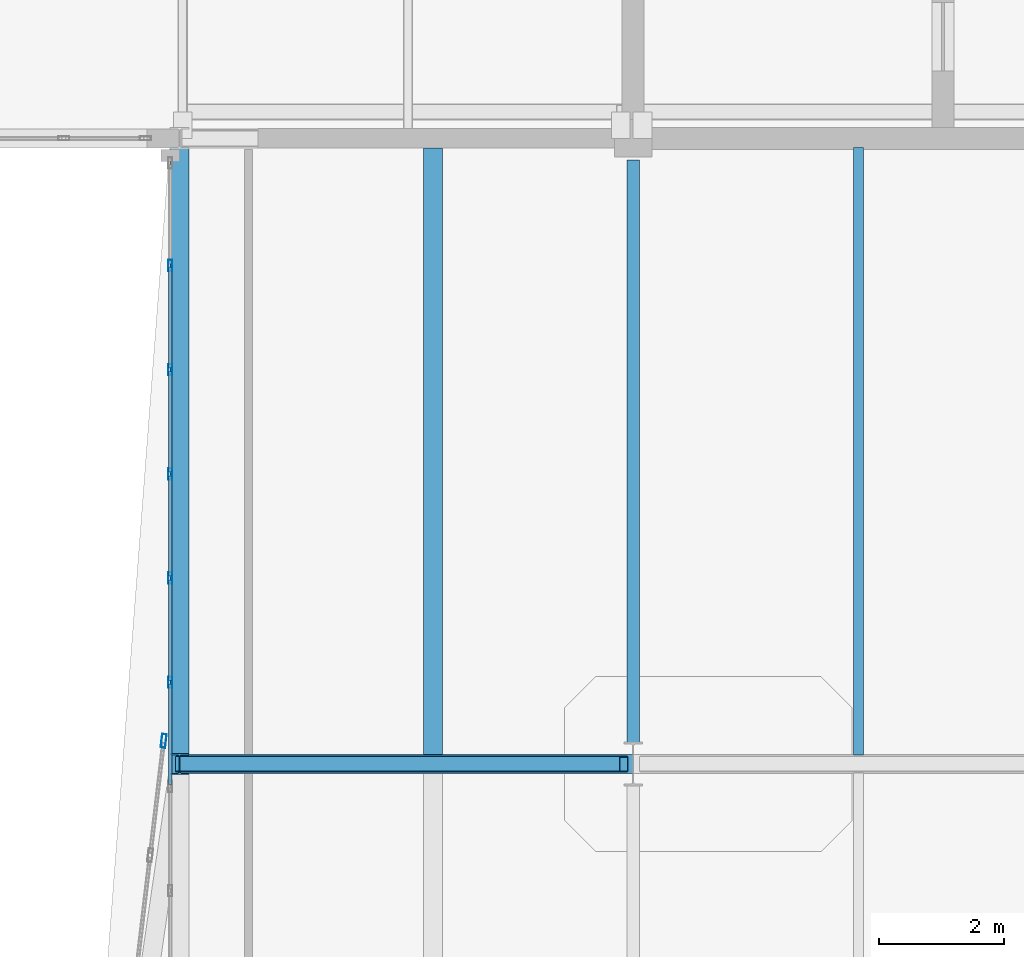
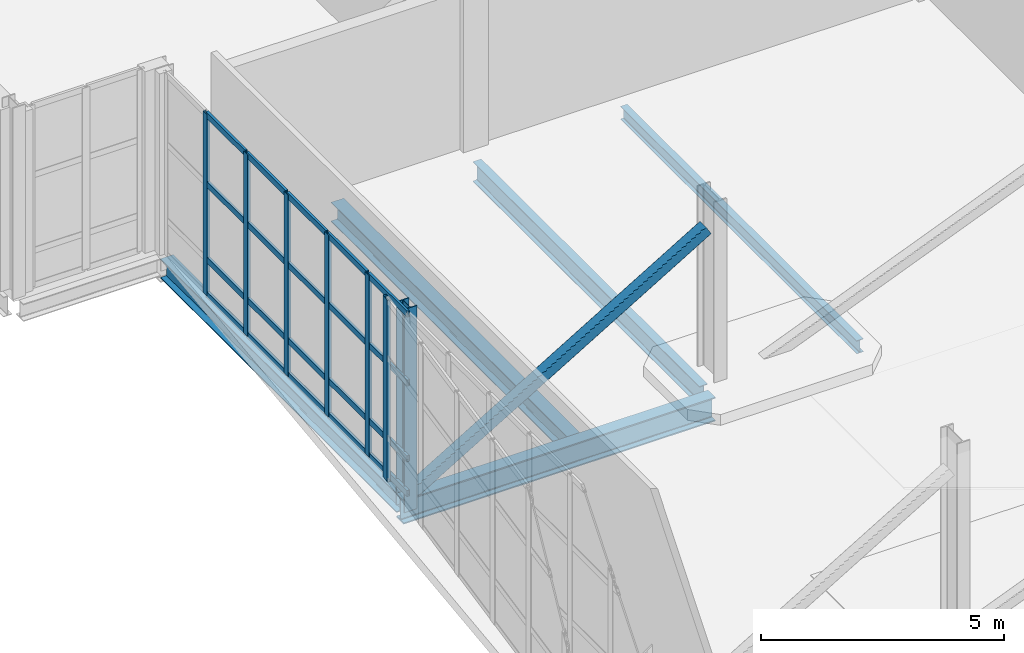
# One storey, part 39 of 100: 28 members, 5 beams, 2 elements without a shape of their own.
"""IFC4 building model written with IfcOpenShell, lengths in metres."""

from ifc_helpers import new_model, si_unit, direction, frame, origin, origin_2d, place, context, subcontext, project, spatial, hollow_rectangle, i_section, extrude, material, layer, layer_set, material_profile, profile_set, type_object, element, aggregate, save


model = new_model("IFC4")

# Units and contexts
model_context = context("Model", 3, precision=1e-05, world=origin(), true_north=direction((0.0, 1.0)))
body_context = subcontext(model_context, "Body", "Model", "MODEL_VIEW")
ifc_project = project(units=[si_unit("LENGTHUNIT", "METRE"), si_unit("AREAUNIT", "SQUARE_METRE"), si_unit("VOLUMEUNIT", "CUBIC_METRE"), si_unit("PLANEANGLEUNIT", "RADIAN"), si_unit("MASSUNIT", "GRAM", prefix="KILO")], contexts=[model_context])

# Site, building, storey
site_placement = place(None, origin())
site = spatial("IfcSite", under=ifc_project, at=site_placement, CompositionType="ELEMENT")
building_placement = place(site_placement, origin())
building = spatial("IfcBuilding", under=site, at=building_placement, Name="Tasgan Crest Museum", CompositionType="ELEMENT")
storey_placement = place(building_placement, frame((0.0, 0.0, 9.60009765625)))
storey = spatial("IfcBuildingStorey", under=building, at=storey_placement, Name="L02", CompositionType="ELEMENT", Elevation=9.60009765625)

# Beams
ifc_material_1 = material(Name="Steel S355K2", Category="steel")
ifc_material_profile_1 = material_profile(ifc_material_1, i_section(OverallWidth=0.300048828125, OverallDepth=0.60009765625, WebThickness=0.015380859375, FlangeThickness=0.030029296875, FilletRadius=0.027099609375, at=origin_2d()), Name="HEB 600")
ifc_profile_set_1 = profile_set([ifc_material_profile_1], Name="Steel S355K2")
beam_type_1 = type_object("IfcBeamType", Name="BM-CANT-G1", PredefinedType="BEAM", material=ifc_profile_set_1)
beam_1_placement = place(storey_placement, frame((3.39990234375, 72.0, -0.56005859375), z_axis=(1.0, 0.0, 0.0), x_axis=(0.0, 1.0, 0.0)))
element("IfcBeam", 1, at=beam_1_placement, inside=storey, type_object=beam_type_1, Name="Cantilever transfer girder BOT H", PredefinedType="BEAM", context=body_context, shape_type="SweptSolid", body=[
    extrude(i_section(OverallWidth=0.300048828125, OverallDepth=0.60009765625, WebThickness=0.015380859375, FlangeThickness=0.030029296875, FilletRadius=0.027099609375, at=origin_2d()), origin(), (0.0, 0.0, 1.0), 7.3935546875),
])
ifc_material_2 = material(Name="Steel S355J2", Category="steel")
ifc_material_profile_2 = material_profile(ifc_material_2, i_section(OverallWidth=0.300048828125, OverallDepth=0.489990234375, WebThickness=0.011962890625, FlangeThickness=0.02294921875, FilletRadius=0.027099609375, at=origin_2d()), Name="HEA 500")
ifc_profile_set_2 = profile_set([ifc_material_profile_2], Name="Steel S355J2")
beam_type_2 = type_object("IfcBeamType", Name="BM-G-HEA500", PredefinedType="BEAM", material=ifc_profile_set_2)
for number, where, z_axis, x_axis, name in (
    (2, (3.550048828125, 72.14990234375, -0.505126953125), (0.0, 1.0, 0.0), (-1.0, 0.0, 0.0), "Cantilever edge beam L02 TIP 72-82"),
    (3, (7.60009765625, 72.14990234375, -0.505126953125), (0.0, 1.0, 0.0), (-1.0, 0.0, 0.0), "Cantilever edge beam L02 MID 72-82"),
):
    element("IfcBeam", number, at=place(storey_placement, frame(where, z_axis=z_axis, x_axis=x_axis)), inside=storey, type_object=beam_type_2, Name=name, PredefinedType="BEAM", context=body_context, shape_type="SweptSolid", body=[
        extrude(i_section(OverallWidth=0.300048828125, OverallDepth=0.489990234375, WebThickness=0.011962890625, FlangeThickness=0.02294921875, FilletRadius=0.027099609375, at=origin_2d()), origin(), (0.0, 0.0, 1.0), 9.7001953125),
    ])
ifc_material_3 = material(Name="Steel S355J2", Category="steel")
ifc_material_profile_3 = material_profile(ifc_material_3, i_section(OverallWidth=0.199951171875, OverallDepth=0.5, WebThickness=0.01025390625, FlangeThickness=0.01611328125, FilletRadius=0.02099609375, at=origin_2d()), Name="IPE 500")
ifc_profile_set_3 = profile_set([ifc_material_profile_3], Name="Steel S355J2")
beam_type_3 = type_object("IfcBeamType", Name="BM-G-IPE500", PredefinedType="BEAM", material=ifc_profile_set_3)
beam_2_placement = place(storey_placement, frame((10.800048828125, 72.344970703125, -0.510009765625), z_axis=(0.0, 1.0, 0.0), x_axis=(-1.0, 0.0, 0.0)))
element("IfcBeam", 4, at=beam_2_placement, inside=storey, type_object=beam_type_3, Name="Beam L02 2 72.0-82.0", PredefinedType="BEAM", context=body_context, shape_type="SweptSolid", body=[
    extrude(i_section(OverallWidth=0.199951171875, OverallDepth=0.5, WebThickness=0.01025390625, FlangeThickness=0.01611328125, FilletRadius=0.02099609375, at=origin_2d()), origin(), (0.0, 0.0, 1.0), 9.31005859375),
])
ifc_material_4 = material(Name="Steel S355J2", Category="steel")
ifc_material_profile_4 = material_profile(ifc_material_4, i_section(OverallWidth=0.159912109375, OverallDepth=0.330078125, WebThickness=0.007568359375, FlangeThickness=0.011474609375, FilletRadius=0.01806640625, at=origin_2d()), Name="IPE 330")
ifc_profile_set_4 = profile_set([ifc_material_profile_4], Name="Steel S355J2")
beam_type_4 = type_object("IfcBeamType", Name="BM-J-IPE330", PredefinedType="JOIST", material=ifc_profile_set_4)
beam_3_placement = place(storey_placement, frame((14.39990234375, 72.14501953125, -0.425048828125), z_axis=(0.0, 1.0, 0.0), x_axis=(-1.0, 0.0, 0.0)))
element("IfcBeam", 5, at=beam_3_placement, inside=storey, type_object=beam_type_4, Name="Secondary joist L02 X=14.4 Y=72.0-82.0", PredefinedType="JOIST", context=body_context, shape_type="SweptSolid", body=[
    extrude(i_section(OverallWidth=0.159912109375, OverallDepth=0.330078125, WebThickness=0.007568359375, FlangeThickness=0.011474609375, FilletRadius=0.01806640625, at=origin_2d()), origin(), (0.0, 0.0, 1.0), 9.7099609375),
])

# Curtain wall, members
ifc_material_5 = material(Name="Triple-Glazed Aluminium Curtain Wall", Category="aluminium")
ifc_layer = layer(ifc_material_5, 0.179931640625, Name="CW-CANT-TIP-48")
ifc_layer_set = layer_set([ifc_layer], Name="Triple-Glazed Aluminium Curtain Wall")
curtain_wall_type = type_object("IfcCurtainWallType", Name="CW-CANT-TIP-48", PredefinedType="NOTDEFINED", material=ifc_layer_set)
curtain_wall_1_placement = place(storey_placement, origin())
curtain_wall_1 = element("IfcCurtainWall", 6, at=curtain_wall_1_placement, inside=storey, type_object=curtain_wall_type, Name="Curtain wall L02 094", PredefinedType="NOTDEFINED")
ifc_material_6 = material(Name="Anodised Aluminium", Category="aluminium")
ifc_material_profile_5 = material_profile(ifc_material_6, hollow_rectangle(XDim=0.06494140625, YDim=0.179931640625, WallThickness=0.0048828125, at=origin_2d()), Name="ALU MULLION 180x65x5")
ifc_profile_set_5 = profile_set([ifc_material_profile_5], Name="Anodised Aluminium")
member_type_1 = type_object("IfcMemberType", Name="CW-MULLION-180", PredefinedType="MULLION", material=ifc_profile_set_5)
member_1_placement = place(storey_placement, frame((3.39990234375, 79.96923828125, 0.0), z_axis=(0.0, 0.0, 1.0), x_axis=(1.0, 0.0, 0.0)))
member_1 = element("IfcMember", 7, at=member_1_placement, type_object=member_type_1, Name="CW09 mullion 2", PredefinedType="MULLION", context=body_context, shape_type="SweptSolid", body=[
    extrude(hollow_rectangle(XDim=0.06494140625, YDim=0.179931640625, WallThickness=0.0048828125, at=origin_2d()), origin(), (0.0, 0.0, 1.0), 4.559814453125),
])
member_2_placement = place(storey_placement, frame((3.39990234375, 78.30322265625, 0.0), z_axis=(0.0, 0.0, 1.0), x_axis=(1.0, 0.0, 0.0)))
member_2 = element("IfcMember", 8, at=member_2_placement, type_object=member_type_1, Name="CW09 mullion 3", PredefinedType="MULLION", context=body_context, shape_type="SweptSolid", body=[
    extrude(hollow_rectangle(XDim=0.06494140625, YDim=0.179931640625, WallThickness=0.0048828125, at=origin_2d()), origin(), (0.0, 0.0, 1.0), 4.559814453125),
])
member_3_placement = place(storey_placement, frame((3.39990234375, 76.637451171875, 0.0), z_axis=(0.0, 0.0, 1.0), x_axis=(1.0, 0.0, 0.0)))
member_3 = element("IfcMember", 9, at=member_3_placement, type_object=member_type_1, Name="CW09 mullion 4", PredefinedType="MULLION", context=body_context, shape_type="SweptSolid", body=[
    extrude(hollow_rectangle(XDim=0.06494140625, YDim=0.179931640625, WallThickness=0.0048828125, at=origin_2d()), origin(), (0.0, 0.0, 1.0), 4.559814453125),
])
member_4_placement = place(storey_placement, frame((3.39990234375, 74.9716796875, 0.0), z_axis=(0.0, 0.0, 1.0), x_axis=(1.0, 0.0, 0.0)))
member_4 = element("IfcMember", 10, at=member_4_placement, type_object=member_type_1, Name="CW09 mullion 5", PredefinedType="MULLION", context=body_context, shape_type="SweptSolid", body=[
    extrude(hollow_rectangle(XDim=0.06494140625, YDim=0.179931640625, WallThickness=0.0048828125, at=origin_2d()), origin(), (0.0, 0.0, 1.0), 4.559814453125),
])
member_5_placement = place(storey_placement, frame((3.39990234375, 73.305908203125, 0.0), z_axis=(0.0, 0.0, 1.0), x_axis=(1.0, 0.0, 0.0)))
member_5 = element("IfcMember", 11, at=member_5_placement, type_object=member_type_1, Name="CW09 mullion 6", PredefinedType="MULLION", context=body_context, shape_type="SweptSolid", body=[
    extrude(hollow_rectangle(XDim=0.06494140625, YDim=0.179931640625, WallThickness=0.0048828125, at=origin_2d()), origin(), (0.0, 0.0, 1.0), 4.559814453125),
])

# Curtain wall, member
curtain_wall_2_placement = place(storey_placement, origin())
curtain_wall_2 = element("IfcCurtainWall", 12, at=curtain_wall_2_placement, inside=storey, type_object=curtain_wall_type, Name="Cantilevered prow curtain wall L02 PROW-N", PredefinedType="NOTDEFINED")
ifc_material_7 = material(Name="Anodised Aluminium", Category="aluminium")
ifc_material_profile_6 = material_profile(ifc_material_7, hollow_rectangle(XDim=0.074951171875, YDim=0.219970703125, WallThickness=0.006103515625, at=origin_2d()), Name="ALU MULLION 220x75x6")
ifc_profile_set_6 = profile_set([ifc_material_profile_6], Name="Anodised Aluminium")
member_type_2 = type_object("IfcMemberType", Name="CW-MULLION-220", PredefinedType="MULLION", material=ifc_profile_set_6)
member_6_placement = place(storey_placement, frame((3.29638671875, 72.3701171875, 0.0), z_axis=(0.0, 0.0, 1.0), x_axis=(-0.993065228329, 0.117564672774, 0.0)))
member_6 = element("IfcMember", 13, at=member_6_placement, type_object=member_type_2, Name="CW09 mullion 7", PredefinedType="MULLION", context=body_context, shape_type="SweptSolid", body=[
    extrude(hollow_rectangle(XDim=0.074951171875, YDim=0.219970703125, WallThickness=0.006103515625, at=origin_2d()), origin(), (0.0, 0.0, 1.0), 4.559814453125),
])
aggregate(curtain_wall_2, [member_6])

# Member
ifc_material_8 = material(Name="Anodised Aluminium", Category="aluminium")
ifc_material_profile_7 = material_profile(ifc_material_8, hollow_rectangle(XDim=0.06005859375, YDim=0.14990234375, WallThickness=0.0048828125, at=origin_2d()), Name="ALU TRANSOM 150x60x5")
ifc_profile_set_7 = profile_set([ifc_material_profile_7], Name="Anodised Aluminium")
member_type_3 = type_object("IfcMemberType", Name="CW-TRANSOM-150", PredefinedType="USERDEFINED", material=ifc_profile_set_7)
member_7_placement = place(storey_placement, frame((3.39990234375, 79.939208984375, 0.02978515625), z_axis=(0.0, -1.0, 0.0), x_axis=(1.0, 0.0, 0.0)))
member_7 = element("IfcMember", 14, at=member_7_placement, type_object=member_type_3, Name="CW09 transom 2.1", ObjectType="TRANSOM", PredefinedType="USERDEFINED", context=body_context, shape_type="SweptSolid", body=[
    extrude(hollow_rectangle(XDim=0.06005859375, YDim=0.14990234375, WallThickness=0.0048828125, at=origin_2d()), origin(), (0.0, 0.0, 1.0), 1.60595703125),
])

member_8_placement = place(storey_placement, frame((3.39990234375, 79.939208984375, 0.89990234375), z_axis=(0.0, -1.0, 0.0), x_axis=(1.0, 0.0, 0.0)))
member_8 = element("IfcMember", 15, at=member_8_placement, type_object=member_type_3, Name="CW09 transom 2.2", ObjectType="TRANSOM", PredefinedType="USERDEFINED", context=body_context, shape_type="SweptSolid", body=[
    extrude(hollow_rectangle(XDim=0.06005859375, YDim=0.14990234375, WallThickness=0.0048828125, at=origin_2d()), origin(), (0.0, 0.0, 1.0), 1.60595703125),
])

member_9_placement = place(storey_placement, frame((3.39990234375, 79.939208984375, 2.7998046875), z_axis=(0.0, -1.0, 0.0), x_axis=(1.0, 0.0, 0.0)))
member_9 = element("IfcMember", 16, at=member_9_placement, type_object=member_type_3, Name="CW09 transom 2.3", ObjectType="TRANSOM", PredefinedType="USERDEFINED", context=body_context, shape_type="SweptSolid", body=[
    extrude(hollow_rectangle(XDim=0.06005859375, YDim=0.14990234375, WallThickness=0.0048828125, at=origin_2d()), origin(), (0.0, 0.0, 1.0), 1.60595703125),
])

member_10_placement = place(storey_placement, frame((3.39990234375, 79.939208984375, 4.52978515625), z_axis=(0.0, -1.0, 0.0), x_axis=(1.0, 0.0, 0.0)))
member_10 = element("IfcMember", 17, at=member_10_placement, type_object=member_type_3, Name="CW09 transom 2.4", ObjectType="TRANSOM", PredefinedType="USERDEFINED", context=body_context, shape_type="SweptSolid", body=[
    extrude(hollow_rectangle(XDim=0.06005859375, YDim=0.14990234375, WallThickness=0.0048828125, at=origin_2d()), origin(), (0.0, 0.0, 1.0), 1.60595703125),
])

member_11_placement = place(storey_placement, frame((3.39990234375, 78.2734375, 0.02978515625), z_axis=(0.0, -1.0, 0.0), x_axis=(1.0, 0.0, 0.0)))
member_11 = element("IfcMember", 18, at=member_11_placement, type_object=member_type_3, Name="CW09 transom 3.1", ObjectType="TRANSOM", PredefinedType="USERDEFINED", context=body_context, shape_type="SweptSolid", body=[
    extrude(hollow_rectangle(XDim=0.06005859375, YDim=0.14990234375, WallThickness=0.0048828125, at=origin_2d()), origin(), (0.0, 0.0, 1.0), 1.60595703125),
])

member_12_placement = place(storey_placement, frame((3.39990234375, 78.2734375, 0.89990234375), z_axis=(0.0, -1.0, 0.0), x_axis=(1.0, 0.0, 0.0)))
member_12 = element("IfcMember", 19, at=member_12_placement, type_object=member_type_3, Name="CW09 transom 3.2", ObjectType="TRANSOM", PredefinedType="USERDEFINED", context=body_context, shape_type="SweptSolid", body=[
    extrude(hollow_rectangle(XDim=0.06005859375, YDim=0.14990234375, WallThickness=0.0048828125, at=origin_2d()), origin(), (0.0, 0.0, 1.0), 1.60595703125),
])

member_13_placement = place(storey_placement, frame((3.39990234375, 78.2734375, 2.7998046875), z_axis=(0.0, -1.0, 0.0), x_axis=(1.0, 0.0, 0.0)))
member_13 = element("IfcMember", 20, at=member_13_placement, type_object=member_type_3, Name="CW09 transom 3.3", ObjectType="TRANSOM", PredefinedType="USERDEFINED", context=body_context, shape_type="SweptSolid", body=[
    extrude(hollow_rectangle(XDim=0.06005859375, YDim=0.14990234375, WallThickness=0.0048828125, at=origin_2d()), origin(), (0.0, 0.0, 1.0), 1.60595703125),
])

member_14_placement = place(storey_placement, frame((3.39990234375, 78.2734375, 4.52978515625), z_axis=(0.0, -1.0, 0.0), x_axis=(1.0, 0.0, 0.0)))
member_14 = element("IfcMember", 21, at=member_14_placement, type_object=member_type_3, Name="CW09 transom 3.4", ObjectType="TRANSOM", PredefinedType="USERDEFINED", context=body_context, shape_type="SweptSolid", body=[
    extrude(hollow_rectangle(XDim=0.06005859375, YDim=0.14990234375, WallThickness=0.0048828125, at=origin_2d()), origin(), (0.0, 0.0, 1.0), 1.60595703125),
])

member_15_placement = place(storey_placement, frame((3.39990234375, 76.607421875, 0.02978515625), z_axis=(0.0, -1.0, 0.0), x_axis=(1.0, 0.0, 0.0)))
member_15 = element("IfcMember", 22, at=member_15_placement, type_object=member_type_3, Name="CW09 transom 4.1", ObjectType="TRANSOM", PredefinedType="USERDEFINED", context=body_context, shape_type="SweptSolid", body=[
    extrude(hollow_rectangle(XDim=0.06005859375, YDim=0.14990234375, WallThickness=0.0048828125, at=origin_2d()), origin(), (0.0, 0.0, 1.0), 1.605712890625),
])

member_16_placement = place(storey_placement, frame((3.39990234375, 76.607421875, 0.89990234375), z_axis=(0.0, -1.0, 0.0), x_axis=(1.0, 0.0, 0.0)))
member_16 = element("IfcMember", 23, at=member_16_placement, type_object=member_type_3, Name="CW09 transom 4.2", ObjectType="TRANSOM", PredefinedType="USERDEFINED", context=body_context, shape_type="SweptSolid", body=[
    extrude(hollow_rectangle(XDim=0.06005859375, YDim=0.14990234375, WallThickness=0.0048828125, at=origin_2d()), origin(), (0.0, 0.0, 1.0), 1.605712890625),
])

member_17_placement = place(storey_placement, frame((3.39990234375, 76.607421875, 2.7998046875), z_axis=(0.0, -1.0, 0.0), x_axis=(1.0, 0.0, 0.0)))
member_17 = element("IfcMember", 24, at=member_17_placement, type_object=member_type_3, Name="CW09 transom 4.3", ObjectType="TRANSOM", PredefinedType="USERDEFINED", context=body_context, shape_type="SweptSolid", body=[
    extrude(hollow_rectangle(XDim=0.06005859375, YDim=0.14990234375, WallThickness=0.0048828125, at=origin_2d()), origin(), (0.0, 0.0, 1.0), 1.605712890625),
])

member_18_placement = place(storey_placement, frame((3.39990234375, 76.607421875, 4.52978515625), z_axis=(0.0, -1.0, 0.0), x_axis=(1.0, 0.0, 0.0)))
member_18 = element("IfcMember", 25, at=member_18_placement, type_object=member_type_3, Name="CW09 transom 4.4", ObjectType="TRANSOM", PredefinedType="USERDEFINED", context=body_context, shape_type="SweptSolid", body=[
    extrude(hollow_rectangle(XDim=0.06005859375, YDim=0.14990234375, WallThickness=0.0048828125, at=origin_2d()), origin(), (0.0, 0.0, 1.0), 1.605712890625),
])

member_19_placement = place(storey_placement, frame((3.39990234375, 74.941650390625, 0.02978515625), z_axis=(0.0, -1.0, 0.0), x_axis=(1.0, 0.0, 0.0)))
member_19 = element("IfcMember", 26, at=member_19_placement, type_object=member_type_3, Name="CW09 transom 5.1", ObjectType="TRANSOM", PredefinedType="USERDEFINED", context=body_context, shape_type="SweptSolid", body=[
    extrude(hollow_rectangle(XDim=0.06005859375, YDim=0.14990234375, WallThickness=0.0048828125, at=origin_2d()), origin(), (0.0, 0.0, 1.0), 1.605712890625),
])

member_20_placement = place(storey_placement, frame((3.39990234375, 74.941650390625, 0.89990234375), z_axis=(0.0, -1.0, 0.0), x_axis=(1.0, 0.0, 0.0)))
member_20 = element("IfcMember", 27, at=member_20_placement, type_object=member_type_3, Name="CW09 transom 5.2", ObjectType="TRANSOM", PredefinedType="USERDEFINED", context=body_context, shape_type="SweptSolid", body=[
    extrude(hollow_rectangle(XDim=0.06005859375, YDim=0.14990234375, WallThickness=0.0048828125, at=origin_2d()), origin(), (0.0, 0.0, 1.0), 1.605712890625),
])

member_21_placement = place(storey_placement, frame((3.39990234375, 74.941650390625, 2.7998046875), z_axis=(0.0, -1.0, 0.0), x_axis=(1.0, 0.0, 0.0)))
member_21 = element("IfcMember", 28, at=member_21_placement, type_object=member_type_3, Name="CW09 transom 5.3", ObjectType="TRANSOM", PredefinedType="USERDEFINED", context=body_context, shape_type="SweptSolid", body=[
    extrude(hollow_rectangle(XDim=0.06005859375, YDim=0.14990234375, WallThickness=0.0048828125, at=origin_2d()), origin(), (0.0, 0.0, 1.0), 1.605712890625),
])

member_22_placement = place(storey_placement, frame((3.39990234375, 74.941650390625, 4.52978515625), z_axis=(0.0, -1.0, 0.0), x_axis=(1.0, 0.0, 0.0)))
member_22 = element("IfcMember", 29, at=member_22_placement, type_object=member_type_3, Name="CW09 transom 5.4", ObjectType="TRANSOM", PredefinedType="USERDEFINED", context=body_context, shape_type="SweptSolid", body=[
    extrude(hollow_rectangle(XDim=0.06005859375, YDim=0.14990234375, WallThickness=0.0048828125, at=origin_2d()), origin(), (0.0, 0.0, 1.0), 1.605712890625),
])

member_23_placement = place(storey_placement, frame((3.39990234375, 73.27587890625, 0.02978515625), z_axis=(0.0, -1.0, 0.0), x_axis=(1.0, 0.0, 0.0)))
member_23 = element("IfcMember", 30, at=member_23_placement, type_object=member_type_3, Name="CW09 transom 6.1", ObjectType="TRANSOM", PredefinedType="USERDEFINED", context=body_context, shape_type="SweptSolid", body=[
    extrude(hollow_rectangle(XDim=0.06005859375, YDim=0.14990234375, WallThickness=0.0048828125, at=origin_2d()), origin(), (0.0, 0.0, 1.0), 1.60595703125),
])

member_24_placement = place(storey_placement, frame((3.39990234375, 73.27587890625, 0.89990234375), z_axis=(0.0, -1.0, 0.0), x_axis=(1.0, 0.0, 0.0)))
member_24 = element("IfcMember", 31, at=member_24_placement, type_object=member_type_3, Name="CW09 transom 6.2", ObjectType="TRANSOM", PredefinedType="USERDEFINED", context=body_context, shape_type="SweptSolid", body=[
    extrude(hollow_rectangle(XDim=0.06005859375, YDim=0.14990234375, WallThickness=0.0048828125, at=origin_2d()), origin(), (0.0, 0.0, 1.0), 1.60595703125),
])

member_25_placement = place(storey_placement, frame((3.39990234375, 73.27587890625, 2.7998046875), z_axis=(0.0, -1.0, 0.0), x_axis=(1.0, 0.0, 0.0)))
member_25 = element("IfcMember", 32, at=member_25_placement, type_object=member_type_3, Name="CW09 transom 6.3", ObjectType="TRANSOM", PredefinedType="USERDEFINED", context=body_context, shape_type="SweptSolid", body=[
    extrude(hollow_rectangle(XDim=0.06005859375, YDim=0.14990234375, WallThickness=0.0048828125, at=origin_2d()), origin(), (0.0, 0.0, 1.0), 1.60595703125),
])

member_26_placement = place(storey_placement, frame((3.39990234375, 73.27587890625, 4.52978515625), z_axis=(0.0, -1.0, 0.0), x_axis=(1.0, 0.0, 0.0)))
member_26 = element("IfcMember", 33, at=member_26_placement, type_object=member_type_3, Name="CW09 transom 6.4", ObjectType="TRANSOM", PredefinedType="USERDEFINED", context=body_context, shape_type="SweptSolid", body=[
    extrude(hollow_rectangle(XDim=0.06005859375, YDim=0.14990234375, WallThickness=0.0048828125, at=origin_2d()), origin(), (0.0, 0.0, 1.0), 1.60595703125),
])

aggregate(curtain_wall_1, [member_1, member_2, member_3, member_4, member_5, member_7, member_8, member_9, member_10, member_11, member_12, member_13, member_14, member_15, member_16, member_17, member_18, member_19, member_20, member_21, member_22, member_23, member_24, member_25, member_26])

# Members
ifc_material_9 = material(Name="Steel S355K2", Category="steel")
ifc_material_profile_8 = material_profile(ifc_material_9, hollow_rectangle(XDim=0.260009765625, YDim=0.260009765625, WallThickness=0.01416015625, InnerFilletRadius=0.01416015625, OuterFilletRadius=0.0283203125, at=origin_2d()), Name="SHS 260x260x14.2")
ifc_profile_set_8 = profile_set([ifc_material_profile_8], Name="Steel S355K2")
member_type_4 = type_object("IfcMemberType", Name="TR-CANT-DIAG", PredefinedType="BRACE", material=ifc_profile_set_8)
member_27_placement = place(storey_placement, frame((3.550048828125, 72.0, -0.280029296875), z_axis=(0.858553918599, 0.0, 0.51272328683), x_axis=(0.0, 1.0, 0.0)))
element("IfcMember", 34, at=member_27_placement, inside=storey, type_object=member_type_4, Name="Transfer truss diagonal L02 H-1", PredefinedType="BRACE", context=body_context, shape_type="SweptSolid", body=[
    extrude(hollow_rectangle(XDim=0.260009765625, YDim=0.260009765625, WallThickness=0.01416015625, InnerFilletRadius=0.01416015625, OuterFilletRadius=0.0283203125, at=origin_2d()), origin(), (0.0, 0.0, 1.0), 8.26953125),
])
ifc_material_10 = material(Name="Steel S355K2", Category="steel")
ifc_material_profile_9 = material_profile(ifc_material_10, i_section(OverallWidth=0.300048828125, OverallDepth=0.340087890625, WebThickness=0.011962890625, FlangeThickness=0.021484375, FilletRadius=0.027099609375, at=origin_2d()), Name="HEB 340")
ifc_profile_set_9 = profile_set([ifc_material_profile_9], Name="Steel S355K2")
member_type_5 = type_object("IfcMemberType", Name="TR-CANT-POST", PredefinedType="POST", material=ifc_profile_set_9)
member_28_placement = place(storey_placement, frame((3.550048828125, 72.0, -0.56005859375), z_axis=(0.0, 0.0, 1.0), x_axis=(1.0, 0.0, 0.0)))
element("IfcMember", 35, at=member_28_placement, inside=storey, type_object=member_type_5, Name="Cantilever truss tip post L02 H", PredefinedType="POST", context=body_context, shape_type="SweptSolid", body=[
    extrude(i_section(OverallWidth=0.300048828125, OverallDepth=0.340087890625, WebThickness=0.011962890625, FlangeThickness=0.021484375, FilletRadius=0.027099609375, at=origin_2d()), origin(), (0.0, 0.0, 1.0), 5.099853515625),
])

save(model, "model.ifc")
